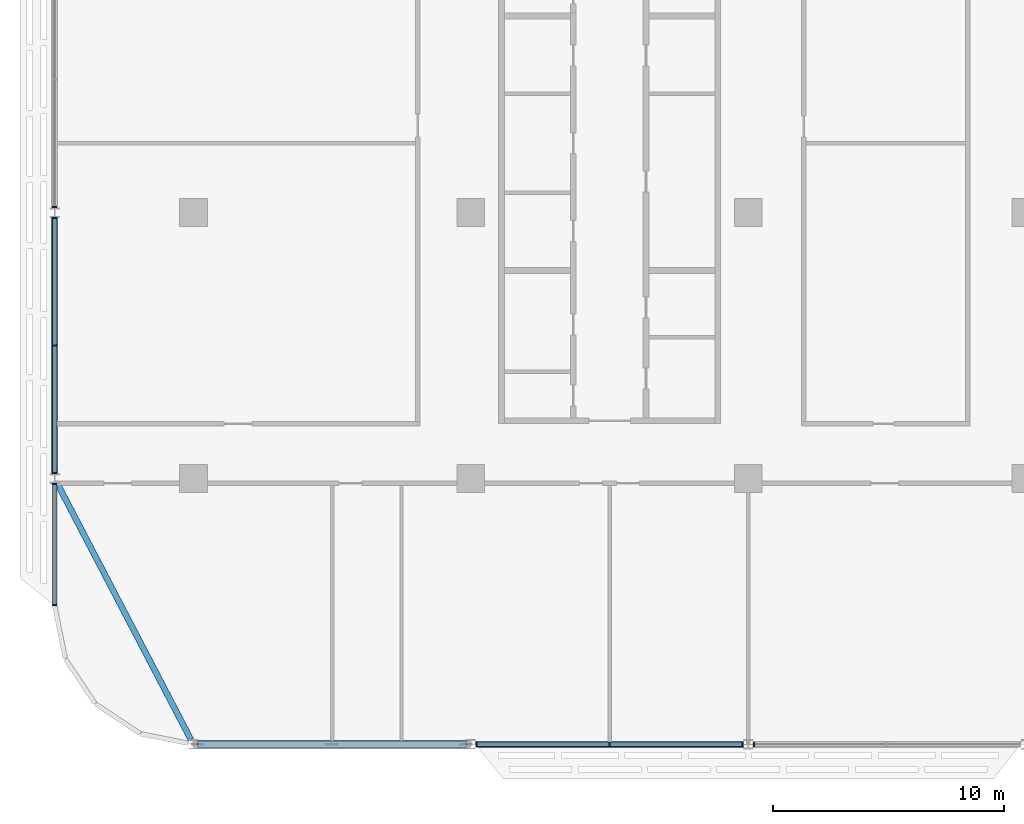
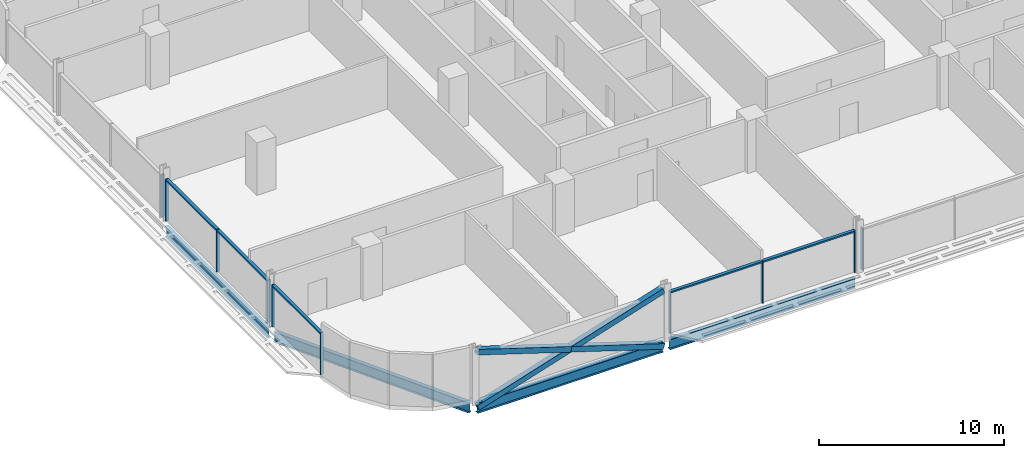
# One storey, part 3 of 27: 18 members, 4 beams, 5 elements without a shape of their own.
"""IFC4 building model written with IfcOpenShell, lengths in metres."""

from ifc_helpers import new_model, si_unit, direction, frame, origin, origin_2d, place, context, subcontext, project, spatial, rectangle, hollow_rectangle, i_section, extrude, material, material_profile, profile_set, type_object, element, aggregate, save


model = new_model("IFC4")

# Units and contexts
model_context = context("Model", 3, precision=1e-05, world=origin(), true_north=direction((0.0, 1.0)))
body_context = subcontext(model_context, "Body", "Model", "MODEL_VIEW")
ifc_project = project(units=[si_unit("LENGTHUNIT", "METRE"), si_unit("AREAUNIT", "SQUARE_METRE"), si_unit("VOLUMEUNIT", "CUBIC_METRE"), si_unit("PLANEANGLEUNIT", "RADIAN"), si_unit("MASSUNIT", "GRAM", prefix="KILO")], contexts=[model_context])

# Site, building, storey
site_placement = place(None, origin())
site = spatial("IfcSite", under=ifc_project, at=site_placement, CompositionType="ELEMENT")
building_placement = place(site_placement, origin())
building = spatial("IfcBuilding", under=site, at=building_placement, Name="Mahtab Terrace Research Tower", CompositionType="ELEMENT")
storey_placement = place(building_placement, frame((0.0, 0.0, 170.60009765625)))
storey = spatial("IfcBuildingStorey", under=building, at=storey_placement, Name="L40", CompositionType="ELEMENT", Elevation=170.60009765625)

# Members
ifc_material_1 = material(Name="Steel ASTM A500 Gr C", Category="steel")
ifc_material_profile_1 = material_profile(ifc_material_1, hollow_rectangle(XDim=0.355712890625, YDim=0.355712890625, WallThickness=0.015869140625, at=origin_2d()), Name="HSS14X14X5/8")
ifc_profile_set_1 = profile_set([ifc_material_profile_1], Name="Steel ASTM A500 Gr C")
member_type_1 = type_object("IfcMemberType", Name="HSS 14x14x5/8 brace XB141458", PredefinedType="BRACE", material=ifc_profile_set_1)
member_1_placement = place(storey_placement, frame((-41.796875, -23.0, -0.61474609375), z_axis=(0.953347232701, 0.0, 0.301875891554), x_axis=(0.0, 1.0, 0.0)))
element("IfcMember", 1, at=member_1_placement, inside=storey, type_object=member_type_1, Name="Exoskeleton brace L40 12 a", PredefinedType="BRACE", context=body_context, shape_type="SweptSolid", body=[
    extrude(hollow_rectangle(XDim=0.355712890625, YDim=0.355712890625, WallThickness=0.015869140625, at=origin_2d()), origin(), (0.0, 0.0, 1.0), 12.1611328125),
])
for number, where, z_axis, x_axis, name in (
    (2, (-30.203125, -23.0, -0.61474609375), (-0.953353010152, 0.0, 0.301857645313), (0.0, -1.0, 0.0), "Exoskeleton brace L40 12 b1"),
    (3, (-36.0, -23.0, 1.220703125), (-0.953341454971, 0.0, 0.301894137463), (0.0, -1.0, 0.0), "Exoskeleton brace L40 12 b2"),
):
    element("IfcMember", number, at=place(storey_placement, frame(where, z_axis=z_axis, x_axis=x_axis)), inside=storey, type_object=member_type_1, Name=name, PredefinedType="BRACE", context=body_context, shape_type="SweptSolid", body=[
        extrude(hollow_rectangle(XDim=0.355712890625, YDim=0.355712890625, WallThickness=0.015869140625, at=origin_2d()), origin(), (0.0, 0.0, 1.0), 6.08056640625),
    ])

# Curtain wall, member
ifc_material_2 = material(Name="Laboratory ribbon curtain wall")
curtain_wall_type = type_object("IfcCurtainWallType", Name="Laboratory ribbon curtain wall", PredefinedType="NOTDEFINED", material=ifc_material_2)
curtain_wall_1_placement = place(storey_placement, origin())
curtain_wall_1 = element("IfcCurtainWall", 4, at=curtain_wall_1_placement, inside=storey, type_object=curtain_wall_type, Name="EN.L40.8.16", PredefinedType="NOTDEFINED")
ifc_material_3 = material(Name="Natural anodised aluminium", Category="aluminium")
ifc_material_profile_2 = material_profile(ifc_material_3, rectangle(XDim=0.199951171875, YDim=0.06494140625, at=origin_2d()), Name="MULLION 65x200")
ifc_profile_set_2 = profile_set([ifc_material_profile_2], Name="Natural anodised aluminium")
member_type_2 = type_object("IfcMemberType", Name="Laboratory ribbon curtain wall mullion", PredefinedType="MULLION", material=ifc_profile_set_2)
member_2_placement = place(storey_placement, frame((-48.0, 0.240478515625, 0.0), z_axis=(0.0, 0.0, 1.0), x_axis=(1.0, 0.0, 0.0)))
member_2 = element("IfcMember", 5, at=member_2_placement, type_object=member_type_2, Name="CWL-5 mullion 3", PredefinedType="MULLION", context=body_context, shape_type="SweptSolid", body=[
    extrude(rectangle(XDim=0.199951171875, YDim=0.06494140625, at=origin_2d()), origin(), (0.0, 0.0, 1.0), 2.78173828125),
])
aggregate(curtain_wall_1, [member_2])

# Curtain wall, members
curtain_wall_2_placement = place(storey_placement, origin())
curtain_wall_2 = element("IfcCurtainWall", 6, at=curtain_wall_2_placement, inside=storey, type_object=curtain_wall_type, Name="EN.L40.8.17", PredefinedType="NOTDEFINED")
member_3_placement = place(storey_placement, frame((-48.0, -0.240478515625, 0.0), z_axis=(0.0, 0.0, 1.0), x_axis=(1.0, 0.0, 0.0)))
member_3 = element("IfcMember", 7, at=member_3_placement, type_object=member_type_2, Name="CWL-5 mullion 1", PredefinedType="MULLION", context=body_context, shape_type="SweptSolid", body=[
    extrude(rectangle(XDim=0.199951171875, YDim=0.06494140625, at=origin_2d()), origin(), (0.0, 0.0, 1.0), 2.78173828125),
])
member_4_placement = place(storey_placement, frame((-48.0, -5.75, 0.0), z_axis=(0.0, 0.0, 1.0), x_axis=(1.0, 0.0, 0.0)))
member_4 = element("IfcMember", 8, at=member_4_placement, type_object=member_type_2, Name="CWL-5 mullion 2", PredefinedType="MULLION", context=body_context, shape_type="SweptSolid", body=[
    extrude(rectangle(XDim=0.199951171875, YDim=0.06494140625, at=origin_2d()), origin(), (0.0, 0.0, 1.0), 2.78173828125),
])
member_5_placement = place(storey_placement, frame((-48.0, -11.259521484375, 0.0), z_axis=(0.0, 0.0, 1.0), x_axis=(1.0, 0.0, 0.0)))
member_5 = element("IfcMember", 9, at=member_5_placement, type_object=member_type_2, Name="CWL-5 mullion 3", PredefinedType="MULLION", context=body_context, shape_type="SweptSolid", body=[
    extrude(rectangle(XDim=0.199951171875, YDim=0.06494140625, at=origin_2d()), origin(), (0.0, 0.0, 1.0), 2.78173828125),
])

curtain_wall_3_placement = place(storey_placement, origin())
curtain_wall_3 = element("IfcCurtainWall", 10, at=curtain_wall_3_placement, inside=storey, type_object=curtain_wall_type, Name="EN.L40.8.18", PredefinedType="NOTDEFINED")
member_6_placement = place(storey_placement, frame((-48.0, -11.740478515625, 0.0), z_axis=(0.0, 0.0, 1.0), x_axis=(1.0, 0.0, 0.0)))
member_6 = element("IfcMember", 11, at=member_6_placement, type_object=member_type_2, Name="CWL-5 mullion 1", PredefinedType="MULLION", context=body_context, shape_type="SweptSolid", body=[
    extrude(rectangle(XDim=0.199951171875, YDim=0.06494140625, at=origin_2d()), origin(), (0.0, 0.0, 1.0), 2.78173828125),
])
member_7_placement = place(storey_placement, frame((-48.0, -16.967529296875, 0.0), z_axis=(0.0, 0.0, 1.0), x_axis=(1.0, 0.0, 0.0)))
member_7 = element("IfcMember", 12, at=member_7_placement, type_object=member_type_2, Name="CWL-5 mullion 2", PredefinedType="MULLION", context=body_context, shape_type="SweptSolid", body=[
    extrude(rectangle(XDim=0.199951171875, YDim=0.06494140625, at=origin_2d()), origin(), (0.0, 0.0, 1.0), 2.78173828125),
])

curtain_wall_4_placement = place(storey_placement, origin())
curtain_wall_4 = element("IfcCurtainWall", 13, at=curtain_wall_4_placement, inside=storey, type_object=curtain_wall_type, Name="EN.L40.13.24", PredefinedType="NOTDEFINED")
member_8_placement = place(storey_placement, frame((-29.759521484375, -23.0, 0.0), z_axis=(0.0, 0.0, 1.0), x_axis=(0.0, 1.0, 0.0)))
member_8 = element("IfcMember", 14, at=member_8_placement, type_object=member_type_2, Name="CWL-5 mullion 1", PredefinedType="MULLION", context=body_context, shape_type="SweptSolid", body=[
    extrude(rectangle(XDim=0.199951171875, YDim=0.06494140625, at=origin_2d()), origin(), (0.0, 0.0, 1.0), 2.78173828125),
])
member_9_placement = place(storey_placement, frame((-24.0, -23.0, 0.0), z_axis=(0.0, 0.0, 1.0), x_axis=(0.0, 1.0, 0.0)))
member_9 = element("IfcMember", 15, at=member_9_placement, type_object=member_type_2, Name="CWL-5 mullion 2", PredefinedType="MULLION", context=body_context, shape_type="SweptSolid", body=[
    extrude(rectangle(XDim=0.199951171875, YDim=0.06494140625, at=origin_2d()), origin(), (0.0, 0.0, 1.0), 2.78173828125),
])
member_10_placement = place(storey_placement, frame((-18.240478515625, -23.0, 0.0), z_axis=(0.0, 0.0, 1.0), x_axis=(0.0, 1.0, 0.0)))
member_10 = element("IfcMember", 16, at=member_10_placement, type_object=member_type_2, Name="CWL-5 mullion 3", PredefinedType="MULLION", context=body_context, shape_type="SweptSolid", body=[
    extrude(rectangle(XDim=0.199951171875, YDim=0.06494140625, at=origin_2d()), origin(), (0.0, 0.0, 1.0), 2.78173828125),
])

# Curtain wall, member
curtain_wall_5_placement = place(storey_placement, origin())
curtain_wall_5 = element("IfcCurtainWall", 17, at=curtain_wall_5_placement, inside=storey, type_object=curtain_wall_type, Name="EN.L40.13.25", PredefinedType="NOTDEFINED")
member_11_placement = place(storey_placement, frame((-17.759521484375, -23.0, 0.0), z_axis=(0.0, 0.0, 1.0), x_axis=(0.0, 1.0, 0.0)))
member_11 = element("IfcMember", 18, at=member_11_placement, type_object=member_type_2, Name="CWL-5 mullion 1", PredefinedType="MULLION", context=body_context, shape_type="SweptSolid", body=[
    extrude(rectangle(XDim=0.199951171875, YDim=0.06494140625, at=origin_2d()), origin(), (0.0, 0.0, 1.0), 2.78173828125),
])
aggregate(curtain_wall_5, [member_11])

# Member
ifc_material_profile_3 = material_profile(ifc_material_3, rectangle(XDim=0.199951171875, YDim=0.10009765625, at=origin_2d()), Name="TRANSOM 100x200")
ifc_profile_set_3 = profile_set([ifc_material_profile_3], Name="Natural anodised aluminium")
member_type_3 = type_object("IfcMemberType", Name="Laboratory ribbon curtain wall transom", PredefinedType="USERDEFINED", material=ifc_profile_set_3)
member_12_placement = place(storey_placement, frame((-48.0, -0.27294921875, 2.731689453125), z_axis=(0.0, -1.0, 0.0), x_axis=(1.0, 0.0, 0.0)))
member_12 = element("IfcMember", 19, at=member_12_placement, type_object=member_type_3, Name="CWL-5 transom 1", ObjectType="TRANSOM", PredefinedType="USERDEFINED", context=body_context, shape_type="SweptSolid", body=[
    extrude(rectangle(XDim=0.199951171875, YDim=0.10009765625, at=origin_2d()), origin(), (0.0, 0.0, 1.0), 5.444580078125),
])

member_13_placement = place(storey_placement, frame((-48.0, -5.782470703125, 2.731689453125), z_axis=(0.0, -1.0, 0.0), x_axis=(1.0, 0.0, 0.0)))
member_13 = element("IfcMember", 20, at=member_13_placement, type_object=member_type_3, Name="CWL-5 transom 2", ObjectType="TRANSOM", PredefinedType="USERDEFINED", context=body_context, shape_type="SweptSolid", body=[
    extrude(rectangle(XDim=0.199951171875, YDim=0.10009765625, at=origin_2d()), origin(), (0.0, 0.0, 1.0), 5.444580078125),
])

aggregate(curtain_wall_2, [member_3, member_4, member_5, member_12, member_13])

member_14_placement = place(storey_placement, frame((-48.0, -11.77294921875, 2.731689453125), z_axis=(0.0, -1.0, 0.0), x_axis=(1.0, 0.0, 0.0)))
member_14 = element("IfcMember", 21, at=member_14_placement, type_object=member_type_3, Name="CWL-5 transom 1", ObjectType="TRANSOM", PredefinedType="USERDEFINED", context=body_context, shape_type="SweptSolid", body=[
    extrude(rectangle(XDim=0.199951171875, YDim=0.10009765625, at=origin_2d()), origin(), (0.0, 0.0, 1.0), 5.162109375),
])

aggregate(curtain_wall_3, [member_6, member_7, member_14])

member_15_placement = place(storey_placement, frame((-29.72705078125, -23.0, 2.731689453125), z_axis=(1.0, 0.0, 0.0), x_axis=(0.0, 1.0, 0.0)))
member_15 = element("IfcMember", 22, at=member_15_placement, type_object=member_type_3, Name="CWL-5 transom 1", ObjectType="TRANSOM", PredefinedType="USERDEFINED", context=body_context, shape_type="SweptSolid", body=[
    extrude(rectangle(XDim=0.199951171875, YDim=0.10009765625, at=origin_2d()), origin(), (0.0, 0.0, 1.0), 5.694580078125),
])

member_16_placement = place(storey_placement, frame((-23.967529296875, -23.0, 2.731689453125), z_axis=(1.0, 0.0, 0.0), x_axis=(0.0, 1.0, 0.0)))
member_16 = element("IfcMember", 23, at=member_16_placement, type_object=member_type_3, Name="CWL-5 transom 2", ObjectType="TRANSOM", PredefinedType="USERDEFINED", context=body_context, shape_type="SweptSolid", body=[
    extrude(rectangle(XDim=0.199951171875, YDim=0.10009765625, at=origin_2d()), origin(), (0.0, 0.0, 1.0), 5.694580078125),
])

aggregate(curtain_wall_4, [member_8, member_9, member_10, member_15, member_16])

# Beams
ifc_material_4 = material(Name="Steel ASTM A992 Gr 50", Category="steel")
ifc_material_profile_4 = material_profile(ifc_material_4, i_section(OverallWidth=0.25390625, OverallDepth=0.67822265625, WebThickness=0.01171875, FlangeThickness=0.016357421875, at=origin_2d()), Name="W27X84")
ifc_profile_set_4 = profile_set([ifc_material_profile_4], Name="Steel ASTM A992 Gr 50")
beam_type = type_object("IfcBeamType", Name="W27x84 beam BS2784", PredefinedType="BEAM", material=ifc_profile_set_4)
beam_1_placement = place(storey_placement, frame((-48.0, -0.208251953125, -0.67919921875), z_axis=(0.0, -1.0, 0.0), x_axis=(1.0, 0.0, 0.0)))
element("IfcBeam", 24, at=beam_1_placement, inside=storey, type_object=beam_type, Name="Spandrel beam L40 10", PredefinedType="BEAM", context=body_context, shape_type="SweptSolid", body=[
    extrude(i_section(OverallWidth=0.25390625, OverallDepth=0.67822265625, WebThickness=0.01171875, FlangeThickness=0.016357421875, at=origin_2d()), origin(), (0.0, 0.0, 1.0), 11.08349609375),
])
beam_2_placement = place(storey_placement, frame((-47.891357421875, -11.708251953125, -0.67919921875), z_axis=(0.462567341525, -0.886584149731, 0.0), x_axis=(0.886584149731, 0.462567341525, 0.0)))
element("IfcBeam", 25, at=beam_2_placement, inside=storey, type_object=beam_type, Name="Spandrel beam L40 11", PredefinedType="BEAM", context=body_context, shape_type="SweptSolid", body=[
    extrude(i_section(OverallWidth=0.25390625, OverallDepth=0.67822265625, WebThickness=0.01171875, FlangeThickness=0.016357421875, at=origin_2d()), origin(), (0.0, 0.0, 1.0), 12.50146484375),
])
for number, where, z_axis, x_axis, name in (
    (26, (-41.796875, -23.0, -0.67919921875), (1.0, 0.0, 0.0), (0.0, 1.0, 0.0), "Spandrel beam L40 12"),
    (27, (-29.796875, -23.0, -0.67919921875), (1.0, 0.0, 0.0), (0.0, 1.0, 0.0), "Spandrel beam L40 13"),
):
    element("IfcBeam", number, at=place(storey_placement, frame(where, z_axis=z_axis, x_axis=x_axis)), inside=storey, type_object=beam_type, Name=name, PredefinedType="BEAM", context=body_context, shape_type="SweptSolid", body=[
        extrude(i_section(OverallWidth=0.25390625, OverallDepth=0.67822265625, WebThickness=0.01171875, FlangeThickness=0.016357421875, at=origin_2d()), origin(), (0.0, 0.0, 1.0), 11.59375),
    ])

save(model, "model.ifc")
